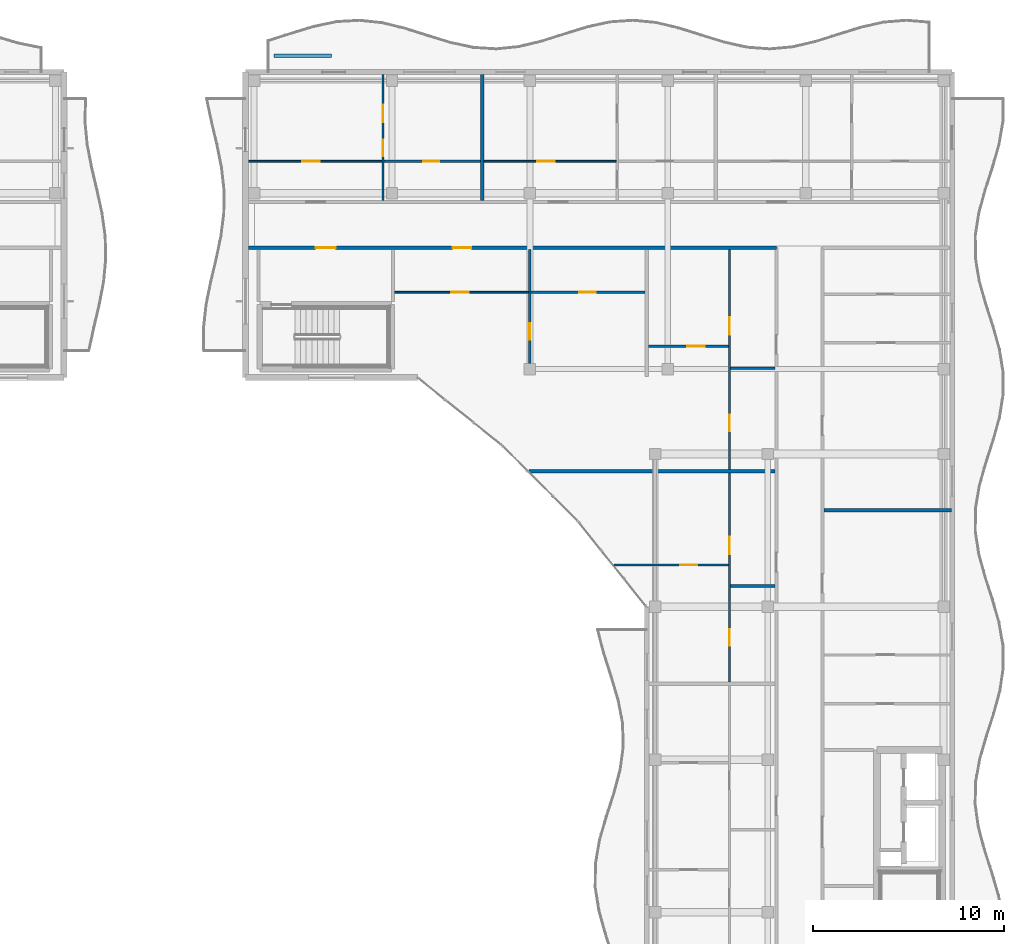
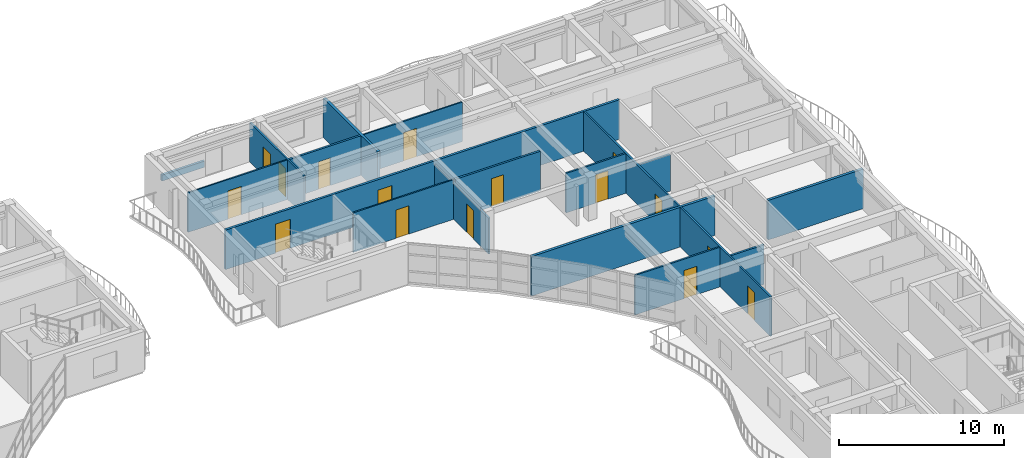
# One storey, part 44 of 71: 18 walls, 16 doors, 16 openings.
"""IFC4 building model written with IfcOpenShell, lengths in metres."""

from ifc_helpers import new_model, si_unit, direction, frame, frame_2d, origin, place, context, subcontext, project, spatial, rectangle, extrude, material, layer, layer_set, type_object, element, fill, save


model = new_model("IFC4")

# Units and contexts
model_context = context("Model", 3, precision=1e-05, world=origin(), true_north=direction((0.0, 1.0)))
body_context = subcontext(model_context, "Body", "Model", "MODEL_VIEW")
ifc_project = project(units=[si_unit("LENGTHUNIT", "METRE"), si_unit("AREAUNIT", "SQUARE_METRE"), si_unit("VOLUMEUNIT", "CUBIC_METRE"), si_unit("PLANEANGLEUNIT", "RADIAN"), si_unit("MASSUNIT", "GRAM", prefix="KILO")], contexts=[model_context])

# Site, building, storey
site_placement = place(None, origin())
site = spatial("IfcSite", under=ifc_project, at=site_placement, CompositionType="ELEMENT")
building_placement = place(site_placement, origin())
building = spatial("IfcBuilding", under=site, at=building_placement, Name="Keldmere Railside Commons", CompositionType="ELEMENT")
storey_placement = place(building_placement, frame((0.0, 0.0, 20.159912109375)))
storey = spatial("IfcBuildingStorey", under=building, at=storey_placement, Name="L06", CompositionType="ELEMENT", Elevation=20.159912109375)

# Walls
ifc_material_1 = material(Name="Acoustic Gypsum Board Partition", Category="gypsum")
ifc_layer_1 = layer(ifc_material_1, 0.179931640625, Name="Acoustic Demising Partition 180")
ifc_layer_set_1 = layer_set([ifc_layer_1], Name="Acoustic Gypsum Board Partition")
wall_type_1 = type_object("IfcWallType", Name="Acoustic Demising Partition 180", PredefinedType="PARTITIONING", material=ifc_layer_set_1)
wall_1_placement = place(storey_placement, frame((161.842529296875, 95.090087890625, 0.0), z_axis=(0.0, 0.0, 1.0), x_axis=(1.0, 0.0, 0.0)))
element("IfcWall", 1, at=wall_1_placement, inside=storey, type_object=wall_type_1, Name="IW-1 IW-L06-1649", PredefinedType="PARTITIONING", context=body_context, shape_type="SweptSolid", body=[
    extrude(rectangle(XDim=12.87744140625, YDim=0.179931640625, at=frame_2d((6.438720703125, 0.0))), origin(), (0.0, 0.0, 1.0), 2.93505859375),
])
wall_2_placement = place(storey_placement, frame((159.389892578125, 109.280029296875, 0.0), z_axis=(0.0, 0.0, 1.0), x_axis=(0.0, 1.0, 0.0)))
element("IfcWall", 2, at=wall_2_placement, inside=storey, type_object=wall_type_1, Name="IW-1 IW-L06-1660", PredefinedType="PARTITIONING", context=body_context, shape_type="SweptSolid", body=[
    extrude(rectangle(XDim=6.599853515625, YDim=0.179931640625, at=frame_2d((3.2998046875, 0.0))), origin(), (0.0, 0.0, 1.0), 2.93505859375),
])
wall_3_placement = place(storey_placement, frame((177.280029296875, 93.050048828125, 0.0), z_axis=(0.0, 0.0, 1.0), x_axis=(1.0, 0.0, 0.0)))
element("IfcWall", 3, at=wall_3_placement, inside=storey, type_object=wall_type_1, Name="IW-1 IW-L06-1674", PredefinedType="PARTITIONING", context=body_context, shape_type="SweptSolid", body=[
    extrude(rectangle(XDim=6.679931640625, YDim=0.179931640625, at=frame_2d((3.33984375, 0.0))), origin(), (0.0, 0.0, 1.0), 2.93505859375),
])

# Wall, openings, doors
ifc_layer_2 = layer(ifc_material_1, 0.1201171875, Name="Apartment Interior Partition 120")
ifc_layer_set_2 = layer_set([ifc_layer_2], Name="Acoustic Gypsum Board Partition")
wall_type_2 = type_object("IfcWallType", Name="Apartment Interior Partition 120", PredefinedType="PARTITIONING", material=ifc_layer_set_2)
wall_4_placement = place(storey_placement, frame((172.340087890625, 84.06005859375, 0.0), z_axis=(0.0, 0.0, 1.0), x_axis=(0.0, 1.0, 0.0)))
wall_4 = element("IfcWall", 4, at=wall_4_placement, inside=storey, type_object=wall_type_2, Name="IW-4 IW-L06-1654", PredefinedType="PARTITIONING", context=body_context, shape_type="SweptSolid", body=[
    extrude(rectangle(XDim=10.93994140625, YDim=0.1201171875, at=frame_2d((5.469970703125, 0.0))), origin(), (0.0, 0.0, 1.0), 2.93505859375),
])
opening_1_placement = place(wall_4_placement, frame((1.911376953125, 0.0, 0.0)))
opening_1 = element("IfcOpeningElement", 5, at=opening_1_placement, cuts=wall_4, Name="Opening ID-04", PredefinedType="OPENING", context=body_context, shape_type="SweptSolid", body=[
    extrude(rectangle(XDim=0.860107421875, YDim=2.10009765625, at=frame_2d((0.43017578125, 1.050048828125))), frame((0.0, 0.070068359375, 0.0), z_axis=(0.0, -1.0, 0.0), x_axis=(1.0, 0.0, 0.0)), (0.0, 0.0, 1.0), 0.14013671875),
])
opening_2_placement = place(wall_4_placement, frame((6.684814453125, 0.0, 0.0)))
opening_2 = element("IfcOpeningElement", 6, at=opening_2_placement, cuts=wall_4, Name="Opening ID-03", PredefinedType="OPENING", context=body_context, shape_type="SweptSolid", body=[
    extrude(rectangle(XDim=0.919921875, YDim=2.10009765625, at=frame_2d((0.4599609375, 1.050048828125))), frame((0.0, 0.070068359375, 0.0), z_axis=(0.0, -1.0, 0.0), x_axis=(1.0, 0.0, 0.0)), (0.0, 0.0, 1.0), 0.14013671875),
])
ifc_material_2 = material(Name="Engineered Oak Timber", Category="wood")
door_type_1 = type_object("IfcDoorType", Name="Apartment Bathroom Door 860x2100", OperationType="NOTDEFINED", PredefinedType="DOOR", material=ifc_material_2)
door_1_placement = place(opening_1_placement, origin())
door_1 = element("IfcDoor", 7, at=door_1_placement, inside=storey, type_object=door_type_1, Name="ID-04 IDR-L06-1496", OperationType="SINGLE_SWING_RIGHT", OverallHeight=2.10009765625, OverallWidth=0.860107421875, PredefinedType="DOOR", context=body_context, shape_type="SweptSolid", body=[
    extrude(rectangle(XDim=0.860107421875, YDim=2.10009765625, at=frame_2d((0.43017578125, 1.050048828125))), frame((0.0, 0.02490234375, 0.0), z_axis=(0.0, -1.0, 0.0), x_axis=(1.0, 0.0, 0.0)), (0.0, 0.0, 1.0), 0.050048828125),
])
fill(opening_1, door_1)
door_type_2 = type_object("IfcDoorType", Name="Kitchen Pocket-Frame Swing Door 920x2100", OperationType="NOTDEFINED", PredefinedType="DOOR", material=ifc_material_2)
door_2_placement = place(opening_2_placement, origin())
door_2 = element("IfcDoor", 8, at=door_2_placement, inside=storey, type_object=door_type_2, Name="ID-03 IDR-L06-1497", OperationType="SINGLE_SWING_LEFT", OverallHeight=2.10009765625, OverallWidth=0.919921875, PredefinedType="DOOR", context=body_context, shape_type="SweptSolid", body=[
    extrude(rectangle(XDim=0.919921875, YDim=2.10009765625, at=frame_2d((0.4599609375, 1.050048828125))), frame((0.0, 0.02490234375, 0.0), z_axis=(0.0, -1.0, 0.0), x_axis=(1.0, 0.0, 0.0)), (0.0, 0.0, 1.0), 0.050048828125),
])
fill(opening_2, door_2)

# Wall, opening, door
wall_5_placement = place(storey_placement, frame((166.294189453125, 90.18994140625, 0.0), z_axis=(0.0, 0.0, 1.0), x_axis=(1.0, 0.0, 0.0)))
wall_5 = element("IfcWall", 9, at=wall_5_placement, inside=storey, type_object=wall_type_2, Name="IW-4 IW-L06-1656", PredefinedType="PARTITIONING", context=body_context, shape_type="SweptSolid", body=[
    extrude(rectangle(XDim=5.98583984375, YDim=0.1201171875, at=frame_2d((2.992919921875, 0.0))), origin(), (0.0, 0.0, 1.0), 2.93505859375),
])
opening_3_placement = place(wall_5_placement, frame((3.4560546875, 0.0, 0.0)))
opening_3 = element("IfcOpeningElement", 10, at=opening_3_placement, cuts=wall_5, Name="Opening ID-01", PredefinedType="OPENING", context=body_context, shape_type="SweptSolid", body=[
    extrude(rectangle(XDim=0.89990234375, YDim=2.10009765625, at=frame_2d((0.449951171875, 1.050048828125))), frame((0.0, 0.070068359375, 0.0), z_axis=(0.0, -1.0, 0.0), x_axis=(1.0, 0.0, 0.0)), (0.0, 0.0, 1.0), 0.14013671875),
])
door_type_3 = type_object("IfcDoorType", Name="Primary Bedroom Door 900x2100", OperationType="NOTDEFINED", PredefinedType="DOOR", material=ifc_material_2)
door_3_placement = place(opening_3_placement, origin())
door_3 = element("IfcDoor", 11, at=door_3_placement, inside=storey, type_object=door_type_3, Name="ID-01 IDR-L06-1499", OperationType="SINGLE_SWING_LEFT", OverallHeight=2.10009765625, OverallWidth=0.89990234375, PredefinedType="DOOR", context=body_context, shape_type="SweptSolid", body=[
    extrude(rectangle(XDim=0.89990234375, YDim=2.10009765625, at=frame_2d((0.449951171875, 1.050048828125))), frame((0.0, 0.02490234375, 0.0), z_axis=(0.0, -1.0, 0.0), x_axis=(1.0, 0.0, 0.0)), (0.0, 0.0, 1.0), 0.050048828125),
])
fill(opening_3, door_3)

# Wall, openings, doors
wall_6_placement = place(storey_placement, frame((172.340087890625, 95.179931640625, 0.0), z_axis=(0.0, 0.0, 1.0), x_axis=(0.0, 1.0, 0.0)))
wall_6 = element("IfcWall", 12, at=wall_6_placement, inside=storey, type_object=wall_type_2, Name="IW-4 IW-L06-1657", PredefinedType="PARTITIONING", context=body_context, shape_type="SweptSolid", body=[
    extrude(rectangle(XDim=11.5400390625, YDim=0.1201171875, at=frame_2d((5.77001953125, 0.0))), origin(), (0.0, 0.0, 1.0), 2.93505859375),
])
opening_4_placement = place(wall_6_placement, frame((2.017822265625, 0.0, 0.0)))
opening_4 = element("IfcOpeningElement", 13, at=opening_4_placement, cuts=wall_6, Name="Opening ID-04", PredefinedType="OPENING", context=body_context, shape_type="SweptSolid", body=[
    extrude(rectangle(XDim=0.860107421875, YDim=2.10009765625, at=frame_2d((0.43017578125, 1.050048828125))), frame((0.0, 0.070068359375, 0.0), z_axis=(0.0, -1.0, 0.0), x_axis=(1.0, 0.0, 0.0)), (0.0, 0.0, 1.0), 0.14013671875),
])
opening_5_placement = place(wall_6_placement, frame((7.054443359375, 0.0, 0.0)))
opening_5 = element("IfcOpeningElement", 14, at=opening_5_placement, cuts=wall_6, Name="Opening ID-03", PredefinedType="OPENING", context=body_context, shape_type="SweptSolid", body=[
    extrude(rectangle(XDim=0.919921875, YDim=2.10009765625, at=frame_2d((0.4599609375, 1.050048828125))), frame((0.0, 0.070068359375, 0.0), z_axis=(0.0, -1.0, 0.0), x_axis=(1.0, 0.0, 0.0)), (0.0, 0.0, 1.0), 0.14013671875),
])
door_4_placement = place(opening_4_placement, origin())
door_4 = element("IfcDoor", 15, at=door_4_placement, inside=storey, type_object=door_type_1, Name="ID-04 IDR-L06-1500", OperationType="SINGLE_SWING_RIGHT", OverallHeight=2.10009765625, OverallWidth=0.860107421875, PredefinedType="DOOR", context=body_context, shape_type="SweptSolid", body=[
    extrude(rectangle(XDim=0.860107421875, YDim=2.10009765625, at=frame_2d((0.43017578125, 1.050048828125))), frame((0.0, 0.02490234375, 0.0), z_axis=(0.0, -1.0, 0.0), x_axis=(1.0, 0.0, 0.0)), (0.0, 0.0, 1.0), 0.050048828125),
])
fill(opening_4, door_4)
door_5_placement = place(opening_5_placement, origin())
door_5 = element("IfcDoor", 16, at=door_5_placement, inside=storey, type_object=door_type_2, Name="ID-03 IDR-L06-1501", OperationType="SINGLE_SWING_LEFT", OverallHeight=2.10009765625, OverallWidth=0.919921875, PredefinedType="DOOR", context=body_context, shape_type="SweptSolid", body=[
    extrude(rectangle(XDim=0.919921875, YDim=2.10009765625, at=frame_2d((0.4599609375, 1.050048828125))), frame((0.0, 0.02490234375, 0.0), z_axis=(0.0, -1.0, 0.0), x_axis=(1.0, 0.0, 0.0)), (0.0, 0.0, 1.0), 0.050048828125),
])
fill(opening_5, door_5)

# Wall, opening, door
wall_7_placement = place(storey_placement, frame((168.090087890625, 101.639892578125, 0.0), z_axis=(0.0, 0.0, 1.0), x_axis=(1.0, 0.0, 0.0)))
wall_7 = element("IfcWall", 17, at=wall_7_placement, inside=storey, type_object=wall_type_2, Name="IW-4 IW-L06-1659", PredefinedType="PARTITIONING", context=body_context, shape_type="SweptSolid", body=[
    extrude(rectangle(XDim=4.18994140625, YDim=0.1201171875, at=frame_2d((2.094970703125, 0.0))), origin(), (0.0, 0.0, 1.0), 2.93505859375),
])
opening_6_placement = place(wall_7_placement, frame((2.044921875, 0.0, 0.0)))
opening_6 = element("IfcOpeningElement", 18, at=opening_6_placement, cuts=wall_7, Name="Opening ID-01", PredefinedType="OPENING", context=body_context, shape_type="SweptSolid", body=[
    extrude(rectangle(XDim=0.89990234375, YDim=2.10009765625, at=frame_2d((0.449951171875, 1.050048828125))), frame((0.0, 0.070068359375, 0.0), z_axis=(0.0, -1.0, 0.0), x_axis=(1.0, 0.0, 0.0)), (0.0, 0.0, 1.0), 0.14013671875),
])
door_6_placement = place(opening_6_placement, origin())
door_6 = element("IfcDoor", 19, at=door_6_placement, inside=storey, type_object=door_type_3, Name="ID-01 IDR-L06-1503", OperationType="SINGLE_SWING_LEFT", OverallHeight=2.10009765625, OverallWidth=0.89990234375, PredefinedType="DOOR", context=body_context, shape_type="SweptSolid", body=[
    extrude(rectangle(XDim=0.89990234375, YDim=2.10009765625, at=frame_2d((0.449951171875, 1.050048828125))), frame((0.0, 0.02490234375, 0.0), z_axis=(0.0, -1.0, 0.0), x_axis=(1.0, 0.0, 0.0)), (0.0, 0.0, 1.0), 0.050048828125),
])
fill(opening_6, door_6)

# Wall, openings, doors
wall_8_placement = place(storey_placement, frame((154.199951171875, 109.280029296875, 0.0), z_axis=(0.0, 0.0, 1.0), x_axis=(0.0, 1.0, 0.0)))
wall_8 = element("IfcWall", 20, at=wall_8_placement, inside=storey, type_object=wall_type_2, Name="IW-4 IW-L06-1662", PredefinedType="PARTITIONING", context=body_context, shape_type="SweptSolid", body=[
    extrude(rectangle(XDim=6.599853515625, YDim=0.1201171875, at=frame_2d((3.2998046875, 0.0))), origin(), (0.0, 0.0, 1.0), 2.93505859375),
])
opening_7_placement = place(wall_8_placement, frame((2.305908203125, 0.0, 0.0)))
opening_7 = element("IfcOpeningElement", 21, at=opening_7_placement, cuts=wall_8, Name="Opening ID-04", PredefinedType="OPENING", context=body_context, shape_type="SweptSolid", body=[
    extrude(rectangle(XDim=0.860107421875, YDim=2.10009765625, at=frame_2d((0.43017578125, 1.050048828125))), frame((0.0, 0.070068359375, 0.0), z_axis=(0.0, -1.0, 0.0), x_axis=(1.0, 0.0, 0.0)), (0.0, 0.0, 1.0), 0.14013671875),
])
opening_8_placement = place(wall_8_placement, frame((4.097412109375, 0.0, 0.0)))
opening_8 = element("IfcOpeningElement", 22, at=opening_8_placement, cuts=wall_8, Name="Opening ID-01", PredefinedType="OPENING", context=body_context, shape_type="SweptSolid", body=[
    extrude(rectangle(XDim=0.89990234375, YDim=2.10009765625, at=frame_2d((0.449951171875, 1.050048828125))), frame((0.0, 0.070068359375, 0.0), z_axis=(0.0, -1.0, 0.0), x_axis=(1.0, 0.0, 0.0)), (0.0, 0.0, 1.0), 0.14013671875),
])
door_7_placement = place(opening_7_placement, origin())
door_7 = element("IfcDoor", 23, at=door_7_placement, inside=storey, type_object=door_type_1, Name="ID-04 IDR-L06-1506", OperationType="SINGLE_SWING_RIGHT", OverallHeight=2.10009765625, OverallWidth=0.860107421875, PredefinedType="DOOR", context=body_context, shape_type="SweptSolid", body=[
    extrude(rectangle(XDim=0.860107421875, YDim=2.10009765625, at=frame_2d((0.43017578125, 1.050048828125))), frame((0.0, 0.02490234375, 0.0), z_axis=(0.0, -1.0, 0.0), x_axis=(1.0, 0.0, 0.0)), (0.0, 0.0, 1.0), 0.050048828125),
])
fill(opening_7, door_7)
door_8_placement = place(opening_8_placement, origin())
door_8 = element("IfcDoor", 24, at=door_8_placement, inside=storey, type_object=door_type_3, Name="ID-01 IDR-L06-1507", OperationType="SINGLE_SWING_LEFT", OverallHeight=2.10009765625, OverallWidth=0.89990234375, PredefinedType="DOOR", context=body_context, shape_type="SweptSolid", body=[
    extrude(rectangle(XDim=0.89990234375, YDim=2.10009765625, at=frame_2d((0.449951171875, 1.050048828125))), frame((0.0, 0.02490234375, 0.0), z_axis=(0.0, -1.0, 0.0), x_axis=(1.0, 0.0, 0.0)), (0.0, 0.0, 1.0), 0.050048828125),
])
fill(opening_8, door_8)

# Wall, opening, door
wall_9_placement = place(storey_placement, frame((161.8798828125, 100.159912109375, 0.0), z_axis=(0.0, 0.0, 1.0), x_axis=(0.0, 1.0, 0.0)))
wall_9 = element("IfcWall", 25, at=wall_9_placement, inside=storey, type_object=wall_type_2, Name="IW-4 IW-L06-1671", PredefinedType="PARTITIONING", context=body_context, shape_type="SweptSolid", body=[
    extrude(rectangle(XDim=6.56005859375, YDim=0.1201171875, at=frame_2d((3.280029296875, 0.0))), origin(), (0.0, 0.0, 1.0), 2.68017578125),
])
opening_9_placement = place(wall_9_placement, frame((1.810302734375, 0.0, 0.0)))
opening_9 = element("IfcOpeningElement", 26, at=opening_9_placement, cuts=wall_9, Name="Opening ID-02", PredefinedType="OPENING", context=body_context, shape_type="SweptSolid", body=[
    extrude(rectangle(XDim=0.8798828125, YDim=2.10009765625, at=frame_2d((0.43994140625, 1.050048828125))), frame((0.0, 0.070068359375, 0.0), z_axis=(0.0, -1.0, 0.0), x_axis=(1.0, 0.0, 0.0)), (0.0, 0.0, 1.0), 0.14013671875),
])
door_type_4 = type_object("IfcDoorType", Name="Secondary Bedroom Door 880x2100", OperationType="NOTDEFINED", PredefinedType="DOOR", material=ifc_material_2)
door_9_placement = place(opening_9_placement, origin())
door_9 = element("IfcDoor", 27, at=door_9_placement, inside=storey, type_object=door_type_4, Name="ID-02 IDR-L06-1521", OperationType="SINGLE_SWING_LEFT", OverallHeight=2.10009765625, OverallWidth=0.8798828125, PredefinedType="DOOR", context=body_context, shape_type="SweptSolid", body=[
    extrude(rectangle(XDim=0.8798828125, YDim=2.10009765625, at=frame_2d((0.43994140625, 1.050048828125))), frame((0.0, 0.02490234375, 0.0), z_axis=(0.0, -1.0, 0.0), x_axis=(1.0, 0.0, 0.0)), (0.0, 0.0, 1.0), 0.050048828125),
])
fill(opening_9, door_9)

# Wall
ifc_material_3 = material(Name="White Precast Concrete H-35 (C35/45)", Category="concrete")
ifc_layer_3 = layer(ifc_material_3, 0.169921875, Name="Balcony Planter Kerb Wall 170")
ifc_layer_set_3 = layer_set([ifc_layer_3], Name="White Precast Concrete H-35 (C35/45)")
wall_type_3 = type_object("IfcWallType", Name="Balcony Planter Kerb Wall 170", PredefinedType="PARAPET", material=ifc_layer_set_3)
wall_10_placement = place(storey_placement, frame((148.5, 116.85009765625, 0.0), z_axis=(0.0, 0.0, 1.0), x_axis=(1.0, 0.0, 0.0)))
element("IfcWall", 28, at=wall_10_placement, inside=storey, type_object=wall_type_3, Name="PW-2 PKBA-L06-0923", PredefinedType="PARAPET", context=body_context, shape_type="SweptSolid", body=[
    extrude(rectangle(XDim=3.0, YDim=0.169921875, at=frame_2d((1.5, 0.0))), origin(), (0.0, 0.0, 1.0), 0.4501953125),
])

# Wall, opening, door
ifc_layer_4 = layer(ifc_material_1, 0.10009765625, Name="Closet Light Partition 100")
ifc_layer_set_4 = layer_set([ifc_layer_4], Name="Acoustic Gypsum Board Partition")
wall_type_4 = type_object("IfcWallType", Name="Closet Light Partition 100", PredefinedType="PARTITIONING", material=ifc_layer_set_4)
wall_11_placement = place(storey_placement, frame((147.159912109375, 111.330078125, 0.0), z_axis=(0.0, 0.0, 1.0), x_axis=(1.0, 0.0, 0.0)))
wall_11 = element("IfcWall", 29, at=wall_11_placement, inside=storey, type_object=wall_type_4, Name="IW-6 IW-L06-1664", PredefinedType="PARTITIONING", context=body_context, shape_type="SweptSolid", body=[
    extrude(rectangle(XDim=6.97998046875, YDim=0.10009765625, at=frame_2d((3.489990234375, 0.0))), origin(), (0.0, 0.0, 1.0), 2.93505859375),
])
opening_10_placement = place(wall_11_placement, frame((2.81591796875, 0.0, 0.0)))
opening_10 = element("IfcOpeningElement", 30, at=opening_10_placement, cuts=wall_11, Name="Opening ID-03", PredefinedType="OPENING", context=body_context, shape_type="SweptSolid", body=[
    extrude(rectangle(XDim=0.919921875, YDim=2.10009765625, at=frame_2d((0.4599609375, 1.050048828125))), frame((0.0, 0.06005859375, 0.0), z_axis=(0.0, -1.0, 0.0), x_axis=(1.0, 0.0, 0.0)), (0.0, 0.0, 1.0), 0.1201171875),
])
door_10_placement = place(opening_10_placement, origin())
door_10 = element("IfcDoor", 31, at=door_10_placement, inside=storey, type_object=door_type_2, Name="ID-03 IDR-L06-1505", OperationType="SINGLE_SWING_LEFT", OverallHeight=2.10009765625, OverallWidth=0.919921875, PredefinedType="DOOR", context=body_context, shape_type="SweptSolid", body=[
    extrude(rectangle(XDim=0.919921875, YDim=2.10009765625, at=frame_2d((0.4599609375, 1.050048828125))), frame((0.0, 0.02490234375, 0.0), z_axis=(0.0, -1.0, 0.0), x_axis=(1.0, 0.0, 0.0)), (0.0, 0.0, 1.0), 0.050048828125),
])
fill(opening_10, door_10)

wall_12_placement = place(storey_placement, frame((159.47998046875, 111.330078125, 0.0), z_axis=(0.0, 0.0, 1.0), x_axis=(1.0, 0.0, 0.0)))
wall_12 = element("IfcWall", 32, at=wall_12_placement, inside=storey, type_object=wall_type_4, Name="IW-6 IW-L06-1667", PredefinedType="PARTITIONING", context=body_context, shape_type="SweptSolid", body=[
    extrude(rectangle(XDim=6.919921875, YDim=0.10009765625, at=frame_2d((3.4599609375, 0.0))), origin(), (0.0, 0.0, 1.0), 2.93505859375),
])
opening_11_placement = place(wall_12_placement, frame((2.7919921875, 0.0, 0.0)))
opening_11 = element("IfcOpeningElement", 33, at=opening_11_placement, cuts=wall_12, Name="Opening ID-03", PredefinedType="OPENING", context=body_context, shape_type="SweptSolid", body=[
    extrude(rectangle(XDim=0.919921875, YDim=2.10009765625, at=frame_2d((0.4599609375, 1.050048828125))), frame((0.0, 0.06005859375, 0.0), z_axis=(0.0, -1.0, 0.0), x_axis=(1.0, 0.0, 0.0)), (0.0, 0.0, 1.0), 0.1201171875),
])
door_11_placement = place(opening_11_placement, origin())
door_11 = element("IfcDoor", 34, at=door_11_placement, inside=storey, type_object=door_type_2, Name="ID-03 IDR-L06-1510", OperationType="SINGLE_SWING_RIGHT", OverallHeight=2.10009765625, OverallWidth=0.919921875, PredefinedType="DOOR", context=body_context, shape_type="SweptSolid", body=[
    extrude(rectangle(XDim=0.919921875, YDim=2.10009765625, at=frame_2d((0.4599609375, 1.050048828125))), frame((0.0, 0.02490234375, 0.0), z_axis=(0.0, -1.0, 0.0), x_axis=(1.0, 0.0, 0.0)), (0.0, 0.0, 1.0), 0.050048828125),
])
fill(opening_11, door_11)

wall_13_placement = place(storey_placement, frame((154.800048828125, 104.469970703125, 0.0), z_axis=(0.0, 0.0, 1.0), x_axis=(1.0, 0.0, 0.0)))
wall_13 = element("IfcWall", 35, at=wall_13_placement, inside=storey, type_object=wall_type_4, Name="IW-6 IW-L06-1673", PredefinedType="PARTITIONING", context=body_context, shape_type="SweptSolid", body=[
    extrude(rectangle(XDim=7.02001953125, YDim=0.10009765625, at=frame_2d((3.510009765625, 0.0))), origin(), (0.0, 0.0, 1.0), 2.93505859375),
])
opening_12_placement = place(wall_13_placement, frame((2.9736328125, 0.0, 0.0)))
opening_12 = element("IfcOpeningElement", 36, at=opening_12_placement, cuts=wall_13, Name="Opening ID-03", PredefinedType="OPENING", context=body_context, shape_type="SweptSolid", body=[
    extrude(rectangle(XDim=0.919921875, YDim=2.10009765625, at=frame_2d((0.4599609375, 1.050048828125))), frame((0.0, 0.06005859375, 0.0), z_axis=(0.0, -1.0, 0.0), x_axis=(1.0, 0.0, 0.0)), (0.0, 0.0, 1.0), 0.1201171875),
])
door_12_placement = place(opening_12_placement, origin())
door_12 = element("IfcDoor", 37, at=door_12_placement, inside=storey, type_object=door_type_2, Name="ID-03 IDR-L06-1520", OperationType="SINGLE_SWING_RIGHT", OverallHeight=2.10009765625, OverallWidth=0.919921875, PredefinedType="DOOR", context=body_context, shape_type="SweptSolid", body=[
    extrude(rectangle(XDim=0.919921875, YDim=2.10009765625, at=frame_2d((0.4599609375, 1.050048828125))), frame((0.0, 0.02490234375, 0.0), z_axis=(0.0, -1.0, 0.0), x_axis=(1.0, 0.0, 0.0)), (0.0, 0.0, 1.0), 0.050048828125),
])
fill(opening_12, door_12)

# Wall, openings, doors
ifc_layer_5 = layer(ifc_material_1, 0.159912109375, Name="Corridor Fire Partition 160")
ifc_layer_set_5 = layer_set([ifc_layer_5], Name="Acoustic Gypsum Board Partition")
wall_type_5 = type_object("IfcWallType", Name="Corridor Fire Partition 160", PredefinedType="PARTITIONING", material=ifc_layer_set_5)
wall_14_placement = place(storey_placement, frame((147.159912109375, 106.800048828125, 0.0), z_axis=(0.0, 0.0, 1.0), x_axis=(1.0, 0.0, 0.0)))
wall_14 = element("IfcWall", 38, at=wall_14_placement, inside=storey, type_object=wall_type_5, Name="IW-2 IW-L06-1641", PredefinedType="PARTITIONING", context=body_context, shape_type="SweptSolid", body=[
    extrude(rectangle(XDim=27.64013671875, YDim=0.159912109375, at=frame_2d((13.820068359375, 0.0))), origin(), (0.0, 0.0, 1.0), 2.93505859375),
])
opening_13_placement = place(wall_14_placement, frame((3.514892578125, 0.0, 0.0)))
opening_13 = element("IfcOpeningElement", 39, at=opening_13_placement, cuts=wall_14, Name="Opening FD-1", PredefinedType="OPENING", context=body_context, shape_type="SweptSolid", body=[
    extrude(rectangle(XDim=1.050048828125, YDim=2.14990234375, at=frame_2d((0.52490234375, 1.074951171875))), frame((0.0, 0.08984375, 0.0), z_axis=(0.0, -1.0, 0.0), x_axis=(1.0, 0.0, 0.0)), (0.0, 0.0, 1.0), 0.179931640625),
])
opening_14_placement = place(wall_14_placement, frame((10.68994140625, 0.0, 0.0)))
opening_14 = element("IfcOpeningElement", 40, at=opening_14_placement, cuts=wall_14, Name="Opening FD-7", PredefinedType="OPENING", context=body_context, shape_type="SweptSolid", body=[
    extrude(rectangle(XDim=0.97998046875, YDim=2.14990234375, at=frame_2d((0.489990234375, 1.074951171875))), frame((0.0, 0.08984375, 0.0), z_axis=(0.0, -1.0, 0.0), x_axis=(1.0, 0.0, 0.0)), (0.0, 0.0, 1.0), 0.179931640625),
])
door_type_5 = type_object("IfcDoorType", Name="Apartment Entrance Acoustic Fire Door 980x2150", OperationType="NOTDEFINED", PredefinedType="DOOR", material=ifc_material_2)
door_13_placement = place(opening_14_placement, origin())
door_13 = element("IfcDoor", 41, at=door_13_placement, inside=storey, type_object=door_type_5, Name="FD-7 IDR-L06-1519", OperationType="SINGLE_SWING_LEFT", OverallHeight=2.14990234375, OverallWidth=0.97998046875, PredefinedType="DOOR", context=body_context, shape_type="SweptSolid", body=[
    extrude(rectangle(XDim=0.97998046875, YDim=2.14990234375, at=frame_2d((0.489990234375, 1.074951171875))), frame((0.0, 0.02490234375, 0.0), z_axis=(0.0, -1.0, 0.0), x_axis=(1.0, 0.0, 0.0)), (0.0, 0.0, 1.0), 0.050048828125),
])
fill(opening_14, door_13)
ifc_material_4 = material(Name="Steel F-24 (S235)", Category="steel")
door_type_6 = type_object("IfcDoorType", Name="Stair Core Fire Door 1050x2150", OperationType="NOTDEFINED", PredefinedType="DOOR", material=ifc_material_4)
door_14_placement = place(opening_13_placement, origin())
door_14 = element("IfcDoor", 42, at=door_14_placement, inside=storey, type_object=door_type_6, Name="FD-1 IDR-L06-1487", OperationType="SINGLE_SWING_LEFT", OverallHeight=2.14990234375, OverallWidth=1.050048828125, PredefinedType="DOOR", context=body_context, shape_type="SweptSolid", body=[
    extrude(rectangle(XDim=1.050048828125, YDim=2.14990234375, at=frame_2d((0.52490234375, 1.074951171875))), frame((0.0, 0.02490234375, 0.0), z_axis=(0.0, -1.0, 0.0), x_axis=(1.0, 0.0, 0.0)), (0.0, 0.0, 1.0), 0.050048828125),
])
fill(opening_13, door_14)

# Walls
ifc_layer_6 = layer(ifc_material_1, 0.139892578125, Name="Wet-Room Sanitary Partition 140")
ifc_layer_set_6 = layer_set([ifc_layer_6], Name="Acoustic Gypsum Board Partition")
wall_type_6 = type_object("IfcWallType", Name="Wet-Room Sanitary Partition 140", PredefinedType="PARTITIONING", material=ifc_layer_set_6)
wall_15_placement = place(storey_placement, frame((172.39990234375, 89.090087890625, 0.0), z_axis=(0.0, 0.0, 1.0), x_axis=(1.0, 0.0, 0.0)))
element("IfcWall", 43, at=wall_15_placement, inside=storey, type_object=wall_type_6, Name="IW-5 IW-L06-1655", PredefinedType="PARTITIONING", context=body_context, shape_type="SweptSolid", body=[
    extrude(rectangle(XDim=2.320068359375, YDim=0.139892578125, at=frame_2d((1.16015625, 0.0))), origin(), (0.0, 0.0, 1.0), 2.93505859375),
])
wall_16_placement = place(storey_placement, frame((172.39990234375, 100.489990234375, 0.0), z_axis=(0.0, 0.0, 1.0), x_axis=(1.0, 0.0, 0.0)))
element("IfcWall", 44, at=wall_16_placement, inside=storey, type_object=wall_type_6, Name="IW-5 IW-L06-1658", PredefinedType="PARTITIONING", context=body_context, shape_type="SweptSolid", body=[
    extrude(rectangle(XDim=2.320068359375, YDim=0.139892578125, at=frame_2d((1.16015625, 0.0))), origin(), (0.0, 0.0, 1.0), 2.72998046875),
])

# Wall, opening, door
wall_17_placement = place(storey_placement, frame((154.260009765625, 111.330078125, 0.0), z_axis=(0.0, 0.0, 1.0), x_axis=(1.0, 0.0, 0.0)))
wall_17 = element("IfcWall", 45, at=wall_17_placement, inside=storey, type_object=wall_type_6, Name="IW-5 IW-L06-1663", PredefinedType="PARTITIONING", context=body_context, shape_type="SweptSolid", body=[
    extrude(rectangle(XDim=5.0400390625, YDim=0.139892578125, at=frame_2d((2.52001953125, 0.0))), origin(), (0.0, 0.0, 1.0), 2.93505859375),
])
opening_15_placement = place(wall_17_placement, frame((2.0400390625, 0.0, 0.0)))
opening_15 = element("IfcOpeningElement", 46, at=opening_15_placement, cuts=wall_17, Name="Opening ID-06", PredefinedType="OPENING", context=body_context, shape_type="SweptSolid", body=[
    extrude(rectangle(XDim=0.85009765625, YDim=2.050048828125, at=frame_2d((0.425048828125, 1.02490234375))), frame((0.0, 0.079833984375, 0.0), z_axis=(0.0, -1.0, 0.0), x_axis=(1.0, 0.0, 0.0)), (0.0, 0.0, 1.0), 0.159912109375),
])
door_type_7 = type_object("IfcDoorType", Name="Storage Closet Door 850x2050", OperationType="NOTDEFINED", PredefinedType="DOOR", material=ifc_material_2)
door_15_placement = place(opening_15_placement, origin())
door_15 = element("IfcDoor", 47, at=door_15_placement, inside=storey, type_object=door_type_7, Name="ID-06 IDR-L06-1508", OperationType="SINGLE_SWING_RIGHT", OverallHeight=2.050048828125, OverallWidth=0.85009765625, PredefinedType="DOOR", context=body_context, shape_type="SweptSolid", body=[
    extrude(rectangle(XDim=0.85009765625, YDim=2.050048828125, at=frame_2d((0.425048828125, 1.02490234375))), frame((0.0, 0.02490234375, 0.0), z_axis=(0.0, -1.0, 0.0), x_axis=(1.0, 0.0, 0.0)), (0.0, 0.0, 1.0), 0.050048828125),
])
fill(opening_15, door_15)

wall_18_placement = place(storey_placement, frame((161.93994140625, 104.469970703125, 0.0), z_axis=(0.0, 0.0, 1.0), x_axis=(1.0, 0.0, 0.0)))
wall_18 = element("IfcWall", 48, at=wall_18_placement, inside=storey, type_object=wall_type_6, Name="IW-5 IW-L06-1672", PredefinedType="PARTITIONING", context=body_context, shape_type="SweptSolid", body=[
    extrude(rectangle(XDim=5.969970703125, YDim=0.139892578125, at=frame_2d((2.98486328125, 0.0))), origin(), (0.0, 0.0, 1.0), 2.93505859375),
])
opening_16_placement = place(wall_18_placement, frame((2.53271484375, 0.0, 0.0)))
opening_16 = element("IfcOpeningElement", 49, at=opening_16_placement, cuts=wall_18, Name="Opening ID-04", PredefinedType="OPENING", context=body_context, shape_type="SweptSolid", body=[
    extrude(rectangle(XDim=0.860107421875, YDim=2.10009765625, at=frame_2d((0.43017578125, 1.050048828125))), frame((0.0, 0.079833984375, 0.0), z_axis=(0.0, -1.0, 0.0), x_axis=(1.0, 0.0, 0.0)), (0.0, 0.0, 1.0), 0.159912109375),
])
door_16_placement = place(opening_16_placement, origin())
door_16 = element("IfcDoor", 50, at=door_16_placement, inside=storey, type_object=door_type_1, Name="ID-04 IDR-L06-1522", OperationType="SINGLE_SWING_RIGHT", OverallHeight=2.10009765625, OverallWidth=0.860107421875, PredefinedType="DOOR", context=body_context, shape_type="SweptSolid", body=[
    extrude(rectangle(XDim=0.860107421875, YDim=2.10009765625, at=frame_2d((0.43017578125, 1.050048828125))), frame((0.0, 0.02490234375, 0.0), z_axis=(0.0, -1.0, 0.0), x_axis=(1.0, 0.0, 0.0)), (0.0, 0.0, 1.0), 0.050048828125),
])
fill(opening_16, door_16)

save(model, "model.ifc")
